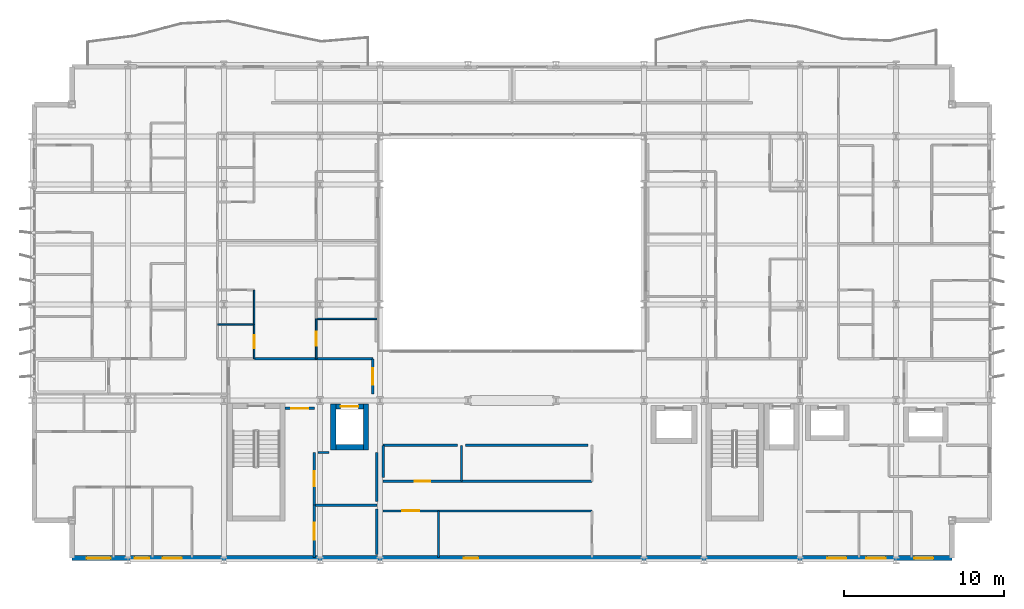
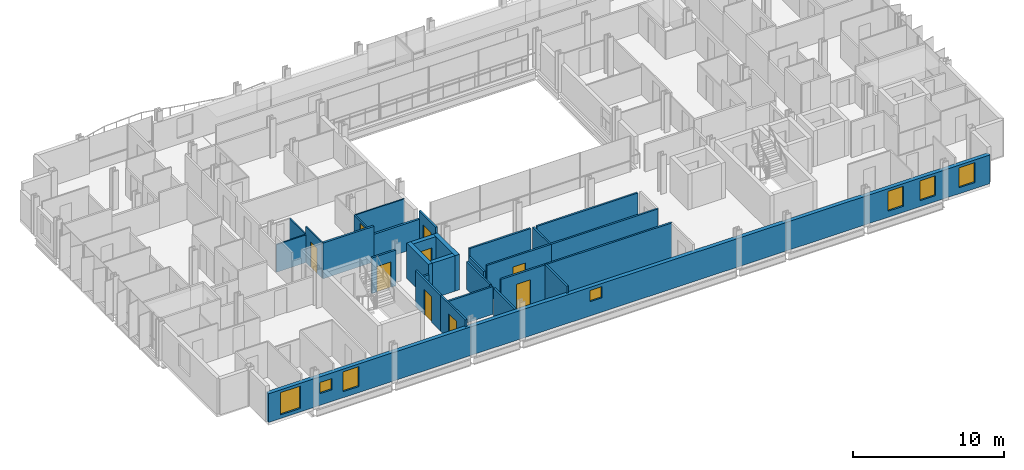
# One storey, part 28 of 39: 29 walls, 9 doors, 7 windows, 16 openings.
"""IFC4 building model written with IfcOpenShell, lengths in metres."""

import ifcopenshell
import ifcopenshell.guid

model = None  # the IFC model being written
_history = None  # IfcOwnerHistory: only IFC2X3 demands one
_inside = {}  # id of a spatial element -> (the spatial element, [elements in it])
_under = {}  # id of a project, library or spatial element -> (it, [spatial elements below it])
_declared = {}  # id of a project -> (the project, [libraries it declares])
_typed = {}  # id of a type object -> (the type object, [elements of that type])
_made_of = {}  # id of a material, layer set ... -> (it, [elements and type objects made of it])


def new_model(schema):
    """Start an empty IFC model of exactly this schema.

    Asked for "IFC4X3", IfcOpenShell would pick the latest addendum, in which some entities
    have other attributes; the version numbers below select the first issue.
    IFC2X3 requires an IfcOwnerHistory on every rooted entity: one is made here for all.
    """
    global model, _history
    if schema == "IFC4X3":
        model = ifcopenshell.file(schema_version=(4, 3, 0, 0))
    else:
        model = ifcopenshell.file(schema=schema)
    _inside.clear()
    _under.clear()
    _declared.clear()
    _typed.clear()
    _made_of.clear()
    _history = None
    if model.schema == "IFC2X3":
        org = make("IfcOrganization", Name="unknown")
        user = make(
            "IfcPersonAndOrganization",
            ThePerson=make("IfcPerson", FamilyName="unknown"),
            TheOrganization=org,
        )
        app = make(
            "IfcApplication",
            ApplicationDeveloper=org,
            Version="unknown",
            ApplicationFullName="unknown",
            ApplicationIdentifier="unknown",
        )
        _history = make(
            "IfcOwnerHistory",
            OwningUser=user,
            OwningApplication=app,
            ChangeAction="ADDED",
            CreationDate=0,
        )
    return model


def make(cls, **values):
    """One entity of the class cls with the attributes given. An attribute that is None is left unset."""
    return model.create_entity(
        cls, **{name: value for name, value in values.items() if value is not None}
    )


def rooted(cls, **values):
    """An entity with a GlobalId (a new one), such as an element, a storey or a relation."""
    return make(cls, GlobalId=ifcopenshell.guid.new(), OwnerHistory=_history, **values)


def si_unit(unit_type, name, prefix=None):
    """IfcSIUnit, for example si_unit("LENGTHUNIT", "METRE", prefix="MILLI")."""
    return make("IfcSIUnit", UnitType=unit_type, Prefix=prefix, Name=name)


def assignment(units):
    """IfcUnitAssignment: the units of a project."""
    return None if units is None else make("IfcUnitAssignment", Units=units)


def point(xyz):
    """IfcCartesianPoint."""
    return None if xyz is None else make("IfcCartesianPoint", Coordinates=xyz)


def direction(xyz):
    """IfcDirection."""
    return None if xyz is None else make("IfcDirection", DirectionRatios=xyz)


def frame(location, z_axis=None, x_axis=None):
    """IfcAxis2Placement3D, a coordinate frame: its origin and axes. An axis left out is left unset."""
    return make(
        "IfcAxis2Placement3D",
        Location=point(location),
        Axis=direction(z_axis),
        RefDirection=direction(x_axis),
    )


def frame_2d(location, x_axis=None):
    """IfcAxis2Placement2D, a coordinate frame in the plane: its origin and x axis."""
    return make(
        "IfcAxis2Placement2D", Location=point(location), RefDirection=direction(x_axis)
    )


def origin():
    """The frame at (0, 0, 0) with its axes left unset."""
    return frame((0.0, 0.0, 0.0))


def place(relative_to, where):
    """IfcLocalPlacement: puts the frame where relative to a parent placement (None: the world)."""
    return make(
        "IfcLocalPlacement", PlacementRelTo=relative_to, RelativePlacement=where
    )


def context(
    kind, dimensions, precision=None, world=None, true_north=None, identifier=None
):
    """IfcGeometricRepresentationContext, for example the 3D "Model" context."""
    return make(
        "IfcGeometricRepresentationContext",
        ContextIdentifier=identifier,
        ContextType=kind,
        CoordinateSpaceDimension=dimensions,
        Precision=precision,
        WorldCoordinateSystem=world,
        TrueNorth=true_north,
    )


def subcontext(parent, identifier, kind, view, scale=None):
    """IfcGeometricRepresentationSubContext, for example "Body" below "Model"."""
    return make(
        "IfcGeometricRepresentationSubContext",
        ContextIdentifier=identifier,
        ContextType=kind,
        ParentContext=parent,
        TargetScale=scale,
        TargetView=view,
    )


def project(units=None, contexts=None):
    """IfcProject with its units and contexts."""
    return rooted(
        "IfcProject",
        Name="project",
        RepresentationContexts=contexts,
        UnitsInContext=assignment(units),
    )


def spatial(cls, under=None, at=None, **own):
    """A site, building, storey or space (cls), placed at a placement, below another one or the project."""
    s = rooted(cls, ObjectPlacement=at, **own)
    if under is not None:
        _under.setdefault(under.id(), (under, []))[1].append(s)
    return s


def profile(cls, at=None, kind="AREA", **sizes):
    """A parametric profile (cls). Its sizes go by their IFC names, for example OverallWidth=200.0."""
    return make(cls, ProfileType=kind, Position=at, **sizes)


def rectangle(**sizes):
    """IfcRectangleProfileDef."""
    return profile("IfcRectangleProfileDef", **sizes)


def extrude(swept, where, along, depth):
    """IfcExtrudedAreaSolid: the profile swept, set in the frame where, extruded along a direction by depth."""
    return make(
        "IfcExtrudedAreaSolid",
        SweptArea=swept,
        Position=where,
        ExtrudedDirection=direction(along),
        Depth=depth,
    )


def shape(context_of_items, identifier, shape_type, items):
    """IfcShapeRepresentation: the items that make up one representation, for example the "Body"."""
    return make(
        "IfcShapeRepresentation",
        ContextOfItems=context_of_items,
        RepresentationIdentifier=identifier,
        RepresentationType=shape_type,
        Items=items,
    )


def material(Name=None, Category=None):
    """IfcMaterial."""
    return make("IfcMaterial", Name=Name, Category=Category)


def layer(
    of_material, thickness, ventilated=None, Name=None, Category=None, Priority=None
):
    """IfcMaterialLayer: one layer of a wall or slab, of a material (None: an air gap)."""
    return make(
        "IfcMaterialLayer",
        Material=of_material,
        LayerThickness=thickness,
        IsVentilated=ventilated,
        Name=Name,
        Category=Category,
        Priority=Priority,
    )


def layer_set(layers, Name=None):
    """IfcMaterialLayerSet."""
    return make("IfcMaterialLayerSet", MaterialLayers=layers, LayerSetName=Name)


def made_of(thing, what):
    """Note that an element or type object is made of a material, layer set ...; save() writes the relation."""
    if what is not None:
        _made_of.setdefault(what.id(), (what, []))[1].append(thing)
    return thing


def type_object(cls, material=None, **own):
    """A type object (cls), such as IfcWallType, which elements share."""
    return made_of(rooted(cls, **own), material)


def element(
    cls,
    number,
    at=None,
    inside=None,
    cuts=None,
    type_object=None,
    material=None,
    context=None,
    identifier="Body",
    shape_type=None,
    held_by="IfcProductDefinitionShape",
    body=None,
    shapes=None,
    **own,
):
    """One element of the class cls, such as IfcWall. Its Tag is "e" and its number.

    at: its placement. inside: the storey or other place that contains it. cuts: it is an
    opening in that element (IfcRelVoidsElement). A single representation is given by context,
    identifier, shape_type and body (its items); several are given by shapes. held_by: the class
    of the entity that holds the representations. save() writes the other relations.
    """
    e = rooted(cls, Tag="e%d" % number, ObjectPlacement=at, **own)
    if body is not None:
        shapes = [shape(context, identifier, shape_type, body)]
    if shapes is not None:
        e.Representation = make(held_by, Representations=shapes)
    if inside is not None:
        _inside.setdefault(inside.id(), (inside, []))[1].append(e)
    if cuts is not None:
        rooted(
            "IfcRelVoidsElement", RelatingBuildingElement=cuts, RelatedOpeningElement=e
        )
    if type_object is not None:
        _typed.setdefault(type_object.id(), (type_object, []))[1].append(e)
    return made_of(e, material)


def fill(opening, filler):
    """IfcRelFillsElement: the door or window that sits in an opening."""
    return rooted(
        "IfcRelFillsElement",
        RelatingOpeningElement=opening,
        RelatedBuildingElement=filler,
    )


def aggregate(whole, parts):
    """IfcRelAggregates: a whole, such as a stair, and the parts it consists of."""
    return rooted("IfcRelAggregates", RelatingObject=whole, RelatedObjects=parts)


def save(model, path):
    """Write the relations noted so far, then the file.

    IfcRelAggregates (storeys below a building ...), IfcRelContainedInSpatialStructure (elements
    in a storey), IfcRelDefinesByType, IfcRelAssociatesMaterial and IfcRelDeclares: one each for
    every whole, place, type object, material and project.
    """
    for whole, parts in _under.values():
        aggregate(whole, parts)
    for where, things in _inside.values():
        rooted(
            "IfcRelContainedInSpatialStructure",
            RelatedElements=things,
            RelatingStructure=where,
        )
    for kind, things in _typed.values():
        rooted("IfcRelDefinesByType", RelatedObjects=things, RelatingType=kind)
    for what, things in _made_of.values():
        rooted("IfcRelAssociatesMaterial", RelatedObjects=things, RelatingMaterial=what)
    for by, libraries in _declared.values():
        rooted("IfcRelDeclares", RelatingContext=by, RelatedDefinitions=libraries)
    model.write(path)


model = new_model("IFC4")

# Units and contexts
model_context = context("Model", 3, precision=1e-05, world=origin(), true_north=direction((0.0, 1.0)))
body_context = subcontext(model_context, "Body", "Model", "MODEL_VIEW")
ifc_project = project(units=[si_unit("LENGTHUNIT", "METRE"), si_unit("AREAUNIT", "SQUARE_METRE"), si_unit("VOLUMEUNIT", "CUBIC_METRE"), si_unit("PLANEANGLEUNIT", "RADIAN"), si_unit("MASSUNIT", "GRAM", prefix="KILO")], contexts=[model_context])

# Site, building, storey
site_placement = place(None, origin())
site = spatial("IfcSite", under=ifc_project, at=site_placement, CompositionType="ELEMENT")
building_placement = place(site_placement, origin())
building = spatial("IfcBuilding", under=site, at=building_placement, Name="Brevholm Reach", CompositionType="ELEMENT")
storey_placement = place(building_placement, frame((0.0, 0.0, 40.39990234375)))
storey = spatial("IfcBuildingStorey", under=building, at=storey_placement, Name="L10", CompositionType="ELEMENT", Elevation=40.39990234375)

# Walls
ifc_material_1 = material(Name="Concrete C60/75", Category="concrete")
ifc_layer_1 = layer(ifc_material_1, 0.320068359375)
ifc_layer_set_1 = layer_set([ifc_layer_1], Name="Concrete C60/75")
wall_type_1 = type_object("IfcWallType", Name="WAL-COR-320", PredefinedType="SHEAR", material=ifc_layer_set_1)
for number, where, z_axis, x_axis, name in (
    (1, (18.830078125, 6.919921875, 0.0), (0.0, 0.0, 1.0), (0.0, 1.0, 0.0), "L10 Lift FFL-1 Shaft Wall W"),
    (2, (20.8701171875, 6.919921875, 0.0), (0.0, 0.0, 1.0), (0.0, 1.0, 0.0), "L10 Lift FFL-1 Shaft Wall E"),
):
    element("IfcWall", number, at=place(storey_placement, frame(where, z_axis=z_axis, x_axis=x_axis)), inside=storey, type_object=wall_type_1, Name=name, PredefinedType="SHEAR", context=body_context, shape_type="SweptSolid", body=[
        extrude(rectangle(XDim=2.860107421875, YDim=0.320068359375, at=frame_2d((1.43017578125, 0.0))), origin(), (0.0, 0.0, 1.0), 2.8701171875),
    ])
wall_1_placement = place(storey_placement, frame((18.989990234375, 7.080078125, 0.0), z_axis=(0.0, 0.0, 1.0), x_axis=(1.0, 0.0, 0.0)))
element("IfcWall", 3, at=wall_1_placement, inside=storey, type_object=wall_type_1, Name="L10 Lift FFL-1 Shaft Wall S", PredefinedType="SHEAR", context=body_context, shape_type="SweptSolid", body=[
    extrude(rectangle(XDim=1.719970703125, YDim=0.320068359375, at=frame_2d((0.85986328125, 0.0))), origin(), (0.0, 0.0, 1.0), 2.8701171875),
])

# Wall, opening, door
wall_2_placement = place(storey_placement, frame((18.989990234375, 9.6201171875, 0.0), z_axis=(0.0, 0.0, 1.0), x_axis=(1.0, 0.0, 0.0)))
wall_2 = element("IfcWall", 4, at=wall_2_placement, inside=storey, type_object=wall_type_1, Name="L10 Lift FFL-1 Shaft Wall N", PredefinedType="SHEAR", context=body_context, shape_type="SweptSolid", body=[
    extrude(rectangle(XDim=1.719970703125, YDim=0.320068359375, at=frame_2d((0.85986328125, 0.0))), origin(), (0.0, 0.0, 1.0), 2.8701171875),
])
opening_1_placement = place(wall_2_placement, frame((0.31005859375, 0.0, 0.0)))
opening_1 = element("IfcOpeningElement", 5, at=opening_1_placement, cuts=wall_2, Name="Opening LD-FFL-1", PredefinedType="OPENING", context=body_context, shape_type="SweptSolid", body=[
    extrude(rectangle(XDim=1.10009765625, YDim=2.06005859375, at=frame_2d((0.550048828125, 1.030029296875))), frame((0.0, 0.169921875, 0.0), z_axis=(0.0, -1.0, 0.0), x_axis=(1.0, 0.0, 0.0)), (0.0, 0.0, 1.0), 0.340087890625),
])
ifc_material_2 = material(Name="Brushed Stainless Steel Fire-Rated Sliding Lift Door", Category="steel")
door_type_1 = type_object("IfcDoorType", Name="DOR-LFT-1100", OperationType="NOTDEFINED", PredefinedType="DOOR", material=ifc_material_2)
door_1_placement = place(opening_1_placement, origin())
door_1 = element("IfcDoor", 6, at=door_1_placement, inside=storey, type_object=door_type_1, Name="L10 Lift FFL-1 Sliding Landing Door", OperationType="SLIDING_TO_RIGHT", OverallHeight=2.06005859375, OverallWidth=1.10009765625, PredefinedType="DOOR", context=body_context, shape_type="SweptSolid", body=[
    extrude(rectangle(XDim=1.10009765625, YDim=2.06005859375, at=frame_2d((0.550048828125, 1.030029296875))), frame((0.0, 0.02490234375, 0.0), z_axis=(0.0, -1.0, 0.0), x_axis=(1.0, 0.0, 0.0)), (0.0, 0.0, 1.0), 0.050048828125),
])
fill(opening_1, door_1)

# Wall, openings, windows
ifc_material_3 = material(Name="Concrete C40/50", Category="concrete")
ifc_layer_2 = layer(ifc_material_3, 0.300048828125)
ifc_layer_set_2 = layer_set([ifc_layer_2], Name="Concrete C40/50")
wall_type_2 = type_object("IfcWallType", Name="WAL-EXT-300", PredefinedType="STANDARD", material=ifc_layer_set_2)
wall_3_placement = place(storey_placement, frame((2.5, 0.14990234375, 0.0), z_axis=(0.0, 0.0, 1.0), x_axis=(1.0, 0.0, 0.0)))
wall_3 = element("IfcWall", 7, at=wall_3_placement, inside=storey, type_object=wall_type_2, Name="L10 Facade Wall WAL-L10-S", PredefinedType="STANDARD", context=body_context, shape_type="SweptSolid", body=[
    extrude(rectangle(XDim=55.0, YDim=0.300048828125, at=frame_2d((27.5, 0.0))), origin(), (0.0, 0.0, 1.0), 2.3056640625),
])
opening_2_placement = place(wall_3_placement, frame((0.919921875, 0.0, 0.285888671875)))
opening_2 = element("IfcOpeningElement", 8, at=opening_2_placement, cuts=wall_3, Name="Opening WN-05", PredefinedType="OPENING", context=body_context, shape_type="SweptSolid", body=[
    extrude(rectangle(XDim=1.5, YDim=1.800048828125, at=frame_2d((0.75, 0.89990234375))), frame((0.0, 0.159912109375, 0.0), z_axis=(0.0, -1.0, 0.0), x_axis=(1.0, 0.0, 0.0)), (0.0, 0.0, 1.0), 0.320068359375),
])
opening_3_placement = place(wall_3_placement, frame((24.5, 0.0, 1.14990234375)))
opening_3 = element("IfcOpeningElement", 9, at=opening_3_placement, cuts=wall_3, Name="Opening WN-09", PredefinedType="OPENING", context=body_context, shape_type="SweptSolid", body=[
    extrude(rectangle(XDim=0.89990234375, YDim=0.89990234375, at=frame_2d((0.449951171875, 0.449951171875))), frame((0.0, 0.159912109375, 0.0), z_axis=(0.0, -1.0, 0.0), x_axis=(1.0, 0.0, 0.0)), (0.0, 0.0, 1.0), 0.320068359375),
])
opening_4_placement = place(wall_3_placement, frame((47.199951171875, 0.0, 0.486083984375)))
opening_4 = element("IfcOpeningElement", 10, at=opening_4_placement, cuts=wall_3, Name="Opening WN-08", PredefinedType="OPENING", context=body_context, shape_type="SweptSolid", body=[
    extrude(rectangle(XDim=1.199951171875, YDim=1.60009765625, at=frame_2d((0.60009765625, 0.800048828125))), frame((0.0, 0.159912109375, 0.0), z_axis=(0.0, -1.0, 0.0), x_axis=(1.0, 0.0, 0.0)), (0.0, 0.0, 1.0), 0.320068359375),
])
opening_5_placement = place(wall_3_placement, frame((52.6298828125, 0.0, 0.486083984375)))
opening_5 = element("IfcOpeningElement", 11, at=opening_5_placement, cuts=wall_3, Name="Opening WN-08", PredefinedType="OPENING", context=body_context, shape_type="SweptSolid", body=[
    extrude(rectangle(XDim=1.199951171875, YDim=1.60009765625, at=frame_2d((0.60009765625, 0.800048828125))), frame((0.0, 0.159912109375, 0.0), z_axis=(0.0, -1.0, 0.0), x_axis=(1.0, 0.0, 0.0)), (0.0, 0.0, 1.0), 0.320068359375),
])
opening_6_placement = place(wall_3_placement, frame((3.9208984375, 0.0, 0.949951171875)))
opening_6 = element("IfcOpeningElement", 12, at=opening_6_placement, cuts=wall_3, Name="Opening WN-09", PredefinedType="OPENING", context=body_context, shape_type="SweptSolid", body=[
    extrude(rectangle(XDim=0.89990234375, YDim=0.89990234375, at=frame_2d((0.449951171875, 0.449951171875))), frame((0.0, 0.159912109375, 0.0), z_axis=(0.0, -1.0, 0.0), x_axis=(1.0, 0.0, 0.0)), (0.0, 0.0, 1.0), 0.320068359375),
])
opening_7_placement = place(wall_3_placement, frame((5.675048828125, 0.0, 0.485595703125)))
opening_7 = element("IfcOpeningElement", 13, at=opening_7_placement, cuts=wall_3, Name="Opening WN-08", PredefinedType="OPENING", context=body_context, shape_type="SweptSolid", body=[
    extrude(rectangle(XDim=1.199951171875, YDim=1.60009765625, at=frame_2d((0.60009765625, 0.800048828125))), frame((0.0, 0.159912109375, 0.0), z_axis=(0.0, -1.0, 0.0), x_axis=(1.0, 0.0, 0.0)), (0.0, 0.0, 1.0), 0.320068359375),
])
opening_8_placement = place(wall_3_placement, frame((49.6416015625, 0.0, 0.485595703125)))
opening_8 = element("IfcOpeningElement", 14, at=opening_8_placement, cuts=wall_3, Name="Opening WN-08", PredefinedType="OPENING", context=body_context, shape_type="SweptSolid", body=[
    extrude(rectangle(XDim=1.199951171875, YDim=1.60009765625, at=frame_2d((0.60009765625, 0.800048828125))), frame((0.0, 0.159912109375, 0.0), z_axis=(0.0, -1.0, 0.0), x_axis=(1.0, 0.0, 0.0)), (0.0, 0.0, 1.0), 0.320068359375),
])
ifc_material_4 = material(Name="Dark Anodised Aluminium and Solar-Control IGU Glass", Category="aluminium")
window_type_1 = type_object("IfcWindowType", Name="WIN-POR-0900", PartitioningType="SINGLE_PANEL", PredefinedType="WINDOW", material=ifc_material_4)
window_1_placement = place(opening_3_placement, origin())
window_1 = element("IfcWindow", 15, at=window_1_placement, inside=storey, type_object=window_type_1, Name="L10 Window WIN-L10-S-POR", OverallHeight=0.89990234375, OverallWidth=0.89990234375, PartitioningType="SINGLE_PANEL", PredefinedType="WINDOW", context=body_context, shape_type="SweptSolid", body=[
    extrude(rectangle(XDim=0.89990234375, YDim=0.89990234375, at=frame_2d((0.449951171875, 0.449951171875))), frame((0.0, 0.030029296875, 0.0), z_axis=(0.0, -1.0, 0.0), x_axis=(1.0, 0.0, 0.0)), (0.0, 0.0, 1.0), 0.06005859375),
])
fill(opening_3, window_1)
window_2_placement = place(opening_6_placement, origin())
window_2 = element("IfcWindow", 16, at=window_2_placement, inside=storey, type_object=window_type_1, Name="L10 Bedroom Window 003", OverallHeight=0.89990234375, OverallWidth=0.89990234375, PartitioningType="SINGLE_PANEL", PredefinedType="WINDOW", context=body_context, shape_type="SweptSolid", body=[
    extrude(rectangle(XDim=0.89990234375, YDim=0.89990234375, at=frame_2d((0.449951171875, 0.449951171875))), frame((0.0, 0.030029296875, 0.0), z_axis=(0.0, -1.0, 0.0), x_axis=(1.0, 0.0, 0.0)), (0.0, 0.0, 1.0), 0.06005859375),
])
fill(opening_6, window_2)
ifc_material_5 = material(Name="Dark Anodised Aluminium and Solar-Control IGU Glass", Category="aluminium")
window_type_2 = type_object("IfcWindowType", Name="WIN-RES-1200", PartitioningType="SINGLE_PANEL", PredefinedType="WINDOW", material=ifc_material_5)
window_3_placement = place(opening_4_placement, origin())
window_3 = element("IfcWindow", 17, at=window_3_placement, inside=storey, type_object=window_type_2, Name="L10 Window WIN-L10-S-E1", OverallHeight=1.60009765625, OverallWidth=1.199951171875, PartitioningType="SINGLE_PANEL", PredefinedType="WINDOW", context=body_context, shape_type="SweptSolid", body=[
    extrude(rectangle(XDim=1.199951171875, YDim=1.60009765625, at=frame_2d((0.60009765625, 0.800048828125))), frame((0.0, 0.030029296875, 0.0), z_axis=(0.0, -1.0, 0.0), x_axis=(1.0, 0.0, 0.0)), (0.0, 0.0, 1.0), 0.06005859375),
])
fill(opening_4, window_3)
window_4_placement = place(opening_5_placement, origin())
window_4 = element("IfcWindow", 18, at=window_4_placement, inside=storey, type_object=window_type_2, Name="L10 Window WIN-L10-S-E2", OverallHeight=1.60009765625, OverallWidth=1.199951171875, PartitioningType="SINGLE_PANEL", PredefinedType="WINDOW", context=body_context, shape_type="SweptSolid", body=[
    extrude(rectangle(XDim=1.199951171875, YDim=1.60009765625, at=frame_2d((0.60009765625, 0.800048828125))), frame((0.0, 0.030029296875, 0.0), z_axis=(0.0, -1.0, 0.0), x_axis=(1.0, 0.0, 0.0)), (0.0, 0.0, 1.0), 0.06005859375),
])
fill(opening_5, window_4)
window_5_placement = place(opening_7_placement, origin())
window_5 = element("IfcWindow", 19, at=window_5_placement, inside=storey, type_object=window_type_2, Name="L10 Bedroom Window 004", OverallHeight=1.60009765625, OverallWidth=1.199951171875, PartitioningType="SINGLE_PANEL", PredefinedType="WINDOW", context=body_context, shape_type="SweptSolid", body=[
    extrude(rectangle(XDim=1.199951171875, YDim=1.60009765625, at=frame_2d((0.60009765625, 0.800048828125))), frame((0.0, 0.030029296875, 0.0), z_axis=(0.0, -1.0, 0.0), x_axis=(1.0, 0.0, 0.0)), (0.0, 0.0, 1.0), 0.06005859375),
])
fill(opening_7, window_5)
window_6_placement = place(opening_8_placement, origin())
window_6 = element("IfcWindow", 20, at=window_6_placement, inside=storey, type_object=window_type_2, Name="L10 Bedroom Window 005", OverallHeight=1.60009765625, OverallWidth=1.199951171875, PartitioningType="SINGLE_PANEL", PredefinedType="WINDOW", context=body_context, shape_type="SweptSolid", body=[
    extrude(rectangle(XDim=1.199951171875, YDim=1.60009765625, at=frame_2d((0.60009765625, 0.800048828125))), frame((0.0, 0.030029296875, 0.0), z_axis=(0.0, -1.0, 0.0), x_axis=(1.0, 0.0, 0.0)), (0.0, 0.0, 1.0), 0.06005859375),
])
fill(opening_8, window_6)
ifc_material_6 = material(Name="Dark Anodised Aluminium and Solar-Control IGU Glass", Category="aluminium")
window_type_3 = type_object("IfcWindowType", Name="WIN-RES-1500", PartitioningType="SINGLE_PANEL", PredefinedType="WINDOW", material=ifc_material_6)
window_7_placement = place(opening_2_placement, origin())
window_7 = element("IfcWindow", 21, at=window_7_placement, inside=storey, type_object=window_type_3, Name="L10 Window WIN-L10-S-W1", OverallHeight=1.800048828125, OverallWidth=1.5, PartitioningType="SINGLE_PANEL", PredefinedType="WINDOW", context=body_context, shape_type="SweptSolid", body=[
    extrude(rectangle(XDim=1.5, YDim=1.800048828125, at=frame_2d((0.75, 0.89990234375))), frame((0.0, 0.030029296875, 0.0), z_axis=(0.0, -1.0, 0.0), x_axis=(1.0, 0.0, 0.0)), (0.0, 0.0, 1.0), 0.06005859375),
])
fill(opening_2, window_7)

# Wall
ifc_material_7 = material(Name="Moisture-Resistant Acoustic Gypsum Stud Partition 100 mm", Category="gypsum")
ifc_layer_3 = layer(ifc_material_7, 0.10009765625)
ifc_layer_set_3 = layer_set([ifc_layer_3], Name="Moisture-Resistant Acoustic Gypsum Stud Partition 100 mm")
wall_type_3 = type_object("IfcWallType", Name="WAL-PRT-100", PredefinedType="PARTITIONING", material=ifc_layer_set_3)
wall_4_placement = place(storey_placement, frame((11.60400390625, 14.75, 0.0), z_axis=(0.0, 0.0, 1.0), x_axis=(1.0, 0.0, 0.0)))
element("IfcWall", 22, at=wall_4_placement, inside=storey, type_object=wall_type_3, Name="L10 Internal Partition 112", PredefinedType="PARTITIONING", context=body_context, shape_type="SweptSolid", body=[
    extrude(rectangle(XDim=2.284912109375, YDim=0.10009765625, at=frame_2d((1.142578125, 0.0))), origin(), (0.0, 0.0, 1.0), 2.224853515625),
])

# Wall, opening, door
wall_5_placement = place(storey_placement, frame((13.888916015625, 12.60400390625, 0.0), z_axis=(0.0, 0.0, 1.0), x_axis=(0.0, 1.0, 0.0)))
wall_5 = element("IfcWall", 23, at=wall_5_placement, inside=storey, type_object=wall_type_3, Name="L10 Internal Partition 113", PredefinedType="PARTITIONING", context=body_context, shape_type="SweptSolid", body=[
    extrude(rectangle(XDim=2.14599609375, YDim=0.10009765625, at=frame_2d((1.072998046875, 0.0))), origin(), (0.0, 0.0, 1.0), 2.8701171875),
])
opening_9_placement = place(wall_5_placement, frame((0.6630859375, 0.0, 0.0)))
opening_9 = element("IfcOpeningElement", 24, at=opening_9_placement, cuts=wall_5, Name="Opening ID-03", PredefinedType="OPENING", context=body_context, shape_type="SweptSolid", body=[
    extrude(rectangle(XDim=0.820068359375, YDim=2.02001953125, at=frame_2d((0.41015625, 1.010009765625))), frame((0.0, 0.06005859375, 0.0), z_axis=(0.0, -1.0, 0.0), x_axis=(1.0, 0.0, 0.0)), (0.0, 0.0, 1.0), 0.1201171875),
])
ifc_material_8 = material(Name="Moisture-Resistant Painted Timber Internal Bathroom Door", Category="wood")
door_type_2 = type_object("IfcDoorType", Name="DOR-BATH-820", OperationType="NOTDEFINED", PredefinedType="DOOR", material=ifc_material_8)
door_2_placement = place(opening_9_placement, origin())
door_2 = element("IfcDoor", 25, at=door_2_placement, inside=storey, type_object=door_type_2, Name="L10 Internal Door 042", OperationType="SINGLE_SWING_RIGHT", OverallHeight=2.02001953125, OverallWidth=0.820068359375, PredefinedType="DOOR", context=body_context, shape_type="SweptSolid", body=[
    extrude(rectangle(XDim=0.820068359375, YDim=2.02001953125, at=frame_2d((0.41015625, 1.010009765625))), frame((0.0, 0.02490234375, 0.0), z_axis=(0.0, -1.0, 0.0), x_axis=(1.0, 0.0, 0.0)), (0.0, 0.0, 1.0), 0.050048828125),
])
fill(opening_9, door_2)

# Walls
wall_6_placement = place(storey_placement, frame((13.888916015625, 14.75390625, 0.0), z_axis=(0.0, 0.0, 1.0), x_axis=(0.0, 1.0, 0.0)))
element("IfcWall", 26, at=wall_6_placement, inside=storey, type_object=wall_type_3, Name="L10 Internal Partition 114", PredefinedType="PARTITIONING", context=body_context, shape_type="SweptSolid", body=[
    extrude(rectangle(XDim=2.14599609375, YDim=0.10009765625, at=frame_2d((1.072998046875, 0.0))), origin(), (0.0, 0.0, 1.0), 2.224853515625),
])
wall_7_placement = place(storey_placement, frame((17.76904296875, 15.10009765625, 0.0), z_axis=(0.0, 0.0, 1.0), x_axis=(1.0, 0.0, 0.0)))
element("IfcWall", 27, at=wall_7_placement, inside=storey, type_object=wall_type_3, Name="L10 Internal Partition 116", PredefinedType="PARTITIONING", context=body_context, shape_type="SweptSolid", body=[
    extrude(rectangle(XDim=3.781005859375, YDim=0.10009765625, at=frame_2d((1.890625, 0.0))), origin(), (0.0, 0.0, 1.0), 2.224853515625),
])

# Wall, opening, door
wall_8_placement = place(storey_placement, frame((17.76904296875, 12.60400390625, 0.0), z_axis=(0.0, 0.0, 1.0), x_axis=(0.0, 1.0, 0.0)))
wall_8 = element("IfcWall", 28, at=wall_8_placement, inside=storey, type_object=wall_type_3, Name="L10 Internal Partition 117", PredefinedType="PARTITIONING", context=body_context, shape_type="SweptSolid", body=[
    extrude(rectangle(XDim=2.49609375, YDim=0.10009765625, at=frame_2d((1.248046875, 0.0))), origin(), (0.0, 0.0, 1.0), 2.224853515625),
])
opening_10_placement = place(wall_8_placement, frame((0.80810546875, 0.0, 0.0)))
opening_10 = element("IfcOpeningElement", 29, at=opening_10_placement, cuts=wall_8, Name="Opening ID-01", PredefinedType="OPENING", context=body_context, shape_type="SweptSolid", body=[
    extrude(rectangle(XDim=0.8798828125, YDim=2.0400390625, at=frame_2d((0.43994140625, 1.02001953125))), frame((0.0, 0.06005859375, 0.0), z_axis=(0.0, -1.0, 0.0), x_axis=(1.0, 0.0, 0.0)), (0.0, 0.0, 1.0), 0.1201171875),
])
ifc_material_9 = material(Name="Lacquered Ash Solid-Core Acoustic Internal Door", Category="timber")
door_type_3 = type_object("IfcDoorType", Name="DOR-INT-880", OperationType="NOTDEFINED", PredefinedType="DOOR", material=ifc_material_9)
door_3_placement = place(opening_10_placement, origin())
door_3 = element("IfcDoor", 30, at=door_3_placement, inside=storey, type_object=door_type_3, Name="L10 Internal Door 044", OperationType="SINGLE_SWING_RIGHT", OverallHeight=2.0400390625, OverallWidth=0.8798828125, PredefinedType="DOOR", context=body_context, shape_type="SweptSolid", body=[
    extrude(rectangle(XDim=0.8798828125, YDim=2.0400390625, at=frame_2d((0.43994140625, 1.02001953125))), frame((0.0, 0.02490234375, 0.0), z_axis=(0.0, -1.0, 0.0), x_axis=(1.0, 0.0, 0.0)), (0.0, 0.0, 1.0), 0.050048828125),
])
fill(opening_10, door_3)

ifc_material_10 = material(Name="Twin-Stud Acoustic Fire-Rated Gypsum Partition 140 mm", Category="gypsum")
ifc_layer_4 = layer(ifc_material_10, 0.139892578125)
ifc_layer_set_4 = layer_set([ifc_layer_4], Name="Twin-Stud Acoustic Fire-Rated Gypsum Partition 140 mm")
wall_type_4 = type_object("IfcWallType", Name="WAL-PRT-140", PredefinedType="PARTITIONING", material=ifc_layer_set_4)
wall_9_placement = place(storey_placement, frame((21.949951171875, 3.10009765625, 0.0), z_axis=(0.0, 0.0, 1.0), x_axis=(1.0, 0.0, 0.0)))
wall_9 = element("IfcWall", 31, at=wall_9_placement, inside=storey, type_object=wall_type_4, Name="L10 Internal Partition 003", PredefinedType="PARTITIONING", context=body_context, shape_type="SweptSolid", body=[
    extrude(rectangle(XDim=3.46142578125, YDim=0.139892578125, at=frame_2d((1.730712890625, 0.0))), origin(), (0.0, 0.0, 1.0), 2.8701171875),
])
opening_11_placement = place(wall_9_placement, frame((1.205810546875, 0.0, 0.0)))
opening_11 = element("IfcOpeningElement", 32, at=opening_11_placement, cuts=wall_9, Name="Opening FD-01", PredefinedType="OPENING", context=body_context, shape_type="SweptSolid", body=[
    extrude(rectangle(XDim=1.050048828125, YDim=2.06005859375, at=frame_2d((0.52490234375, 1.030029296875))), frame((0.0, 0.079833984375, 0.0), z_axis=(0.0, -1.0, 0.0), x_axis=(1.0, 0.0, 0.0)), (0.0, 0.0, 1.0), 0.159912109375),
])
ifc_material_11 = material(Name="Hardwood-Lipped Steel-Core Fire and Smoke Door", Category="steel")
door_type_4 = type_object("IfcDoorType", Name="DOR-INT-FD60S", OperationType="NOTDEFINED", PredefinedType="DOOR", material=ifc_material_11)
door_4_placement = place(opening_11_placement, origin())
door_4 = element("IfcDoor", 33, at=door_4_placement, inside=storey, type_object=door_type_4, Name="L10 Internal Door 003", OperationType="SINGLE_SWING_LEFT", OverallHeight=2.06005859375, OverallWidth=1.050048828125, PredefinedType="DOOR", context=body_context, shape_type="SweptSolid", body=[
    extrude(rectangle(XDim=1.050048828125, YDim=2.06005859375, at=frame_2d((0.52490234375, 1.030029296875))), frame((0.0, 0.02490234375, 0.0), z_axis=(0.0, -1.0, 0.0), x_axis=(1.0, 0.0, 0.0)), (0.0, 0.0, 1.0), 0.050048828125),
])
fill(opening_11, door_4)

# Wall
wall_10_placement = place(storey_placement, frame((25.392578125, 3.10009765625, 0.0), z_axis=(0.0, 0.0, 1.0), x_axis=(1.0, 0.0, 0.0)))
element("IfcWall", 34, at=wall_10_placement, inside=storey, type_object=wall_type_4, Name="L10 Internal Partition 004", PredefinedType="PARTITIONING", context=body_context, shape_type="SweptSolid", body=[
    extrude(rectangle(XDim=9.603515625, YDim=0.139892578125, at=frame_2d((4.8017578125, 0.0))), origin(), (0.0, 0.0, 1.0), 2.8701171875),
])

# Wall, opening, door
wall_11_placement = place(storey_placement, frame((21.949951171875, 4.949951171875, 0.0), z_axis=(0.0, 0.0, 1.0), x_axis=(1.0, 0.0, 0.0)))
wall_11 = element("IfcWall", 35, at=wall_11_placement, inside=storey, type_object=wall_type_4, Name="L10 Internal Partition 005", PredefinedType="PARTITIONING", context=body_context, shape_type="SweptSolid", body=[
    extrude(rectangle(XDim=4.911376953125, YDim=0.139892578125, at=frame_2d((2.45556640625, 0.0))), origin(), (0.0, 0.0, 1.0), 2.8701171875),
])
opening_12_placement = place(wall_11_placement, frame((1.980712890625, 0.0, 0.0)))
opening_12 = element("IfcOpeningElement", 36, at=opening_12_placement, cuts=wall_11, Name="Opening ID-30", PredefinedType="OPENING", context=body_context, shape_type="SweptSolid", body=[
    extrude(rectangle(XDim=0.949951171875, YDim=2.050048828125, at=frame_2d((0.47509765625, 1.02490234375))), frame((0.0, 0.079833984375, 0.0), z_axis=(0.0, -1.0, 0.0), x_axis=(1.0, 0.0, 0.0)), (0.0, 0.0, 1.0), 0.159912109375),
])
ifc_material_12 = material(Name="European Oak Veneered Solid-Core Fire Entrance Door", Category="timber")
door_type_5 = type_object("IfcDoorType", Name="DOR-FLT-FD30S", OperationType="NOTDEFINED", PredefinedType="DOOR", material=ifc_material_12)
door_5_placement = place(opening_12_placement, origin())
door_5 = element("IfcDoor", 37, at=door_5_placement, inside=storey, type_object=door_type_5, Name="L10 Internal Door 004", OperationType="SINGLE_SWING_RIGHT", OverallHeight=2.050048828125, OverallWidth=0.949951171875, PredefinedType="DOOR", context=body_context, shape_type="SweptSolid", body=[
    extrude(rectangle(XDim=0.949951171875, YDim=2.050048828125, at=frame_2d((0.47509765625, 1.02490234375))), frame((0.0, 0.02490234375, 0.0), z_axis=(0.0, -1.0, 0.0), x_axis=(1.0, 0.0, 0.0)), (0.0, 0.0, 1.0), 0.050048828125),
])
fill(opening_12, door_5)

# Walls
wall_12_placement = place(storey_placement, frame((26.8427734375, 4.949951171875, 0.0), z_axis=(0.0, 0.0, 1.0), x_axis=(1.0, 0.0, 0.0)))
element("IfcWall", 38, at=wall_12_placement, inside=storey, type_object=wall_type_4, Name="L10 Internal Partition 006", PredefinedType="PARTITIONING", context=body_context, shape_type="SweptSolid", body=[
    extrude(rectangle(XDim=8.1533203125, YDim=0.139892578125, at=frame_2d((4.07666015625, 0.0))), origin(), (0.0, 0.0, 1.0), 2.8701171875),
])
wall_13_placement = place(storey_placement, frame((25.39990234375, 0.179931640625, 0.0), z_axis=(0.0, 0.0, 1.0), x_axis=(0.0, 1.0, 0.0)))
element("IfcWall", 39, at=wall_13_placement, inside=storey, type_object=wall_type_4, Name="L10 Internal Partition 007", PredefinedType="PARTITIONING", context=body_context, shape_type="SweptSolid", body=[
    extrude(rectangle(XDim=2.916015625, YDim=0.139892578125, at=frame_2d((1.4580078125, 0.0))), origin(), (0.0, 0.0, 1.0), 2.8701171875),
])
wall_14_placement = place(storey_placement, frame((26.85009765625, 4.9541015625, 0.0), z_axis=(0.0, 0.0, 1.0), x_axis=(0.0, 1.0, 0.0)))
element("IfcWall", 40, at=wall_14_placement, inside=storey, type_object=wall_type_4, Name="L10 Internal Partition 008", PredefinedType="PARTITIONING", context=body_context, shape_type="SweptSolid", body=[
    extrude(rectangle(XDim=2.245849609375, YDim=0.139892578125, at=frame_2d((1.123046875, 0.0))), origin(), (0.0, 0.0, 1.0), 2.8701171875),
])

# Wall, opening, door
wall_15_placement = place(storey_placement, frame((17.64990234375, 0.179931640625, 0.0), z_axis=(0.0, 0.0, 1.0), x_axis=(0.0, 1.0, 0.0)))
wall_15 = element("IfcWall", 41, at=wall_15_placement, inside=storey, type_object=wall_type_4, Name="L10 Internal Partition 009", PredefinedType="PARTITIONING", context=body_context, shape_type="SweptSolid", body=[
    extrude(rectangle(XDim=3.28125, YDim=0.139892578125, at=frame_2d((1.640625, 0.0))), origin(), (0.0, 0.0, 1.0), 2.8701171875),
])
opening_13_placement = place(wall_15_placement, frame((1.11572265625, 0.0, 0.0)))
opening_13 = element("IfcOpeningElement", 42, at=opening_13_placement, cuts=wall_15, Name="Opening FD-01", PredefinedType="OPENING", context=body_context, shape_type="SweptSolid", body=[
    extrude(rectangle(XDim=1.050048828125, YDim=2.06005859375, at=frame_2d((0.52490234375, 1.030029296875))), frame((0.0, 0.079833984375, 0.0), z_axis=(0.0, -1.0, 0.0), x_axis=(1.0, 0.0, 0.0)), (0.0, 0.0, 1.0), 0.159912109375),
])
door_6_placement = place(opening_13_placement, origin())
door_6 = element("IfcDoor", 43, at=door_6_placement, inside=storey, type_object=door_type_4, Name="L10 Internal Door 005", OperationType="SINGLE_SWING_LEFT", OverallHeight=2.06005859375, OverallWidth=1.050048828125, PredefinedType="DOOR", context=body_context, shape_type="SweptSolid", body=[
    extrude(rectangle(XDim=1.050048828125, YDim=2.06005859375, at=frame_2d((0.52490234375, 1.030029296875))), frame((0.0, 0.02490234375, 0.0), z_axis=(0.0, -1.0, 0.0), x_axis=(1.0, 0.0, 0.0)), (0.0, 0.0, 1.0), 0.050048828125),
])
fill(opening_13, door_6)

wall_16_placement = place(storey_placement, frame((17.64990234375, 3.442626953125, 0.0), z_axis=(0.0, 0.0, 1.0), x_axis=(0.0, 1.0, 0.0)))
wall_16 = element("IfcWall", 44, at=wall_16_placement, inside=storey, type_object=wall_type_4, Name="L10 Internal Partition 010", PredefinedType="PARTITIONING", context=body_context, shape_type="SweptSolid", body=[
    extrude(rectangle(XDim=3.318603515625, YDim=0.139892578125, at=frame_2d((1.6591796875, 0.0))), origin(), (0.0, 0.0, 1.0), 2.8701171875),
])
opening_14_placement = place(wall_16_placement, frame((1.184326171875, 0.0, 0.0)))
opening_14 = element("IfcOpeningElement", 45, at=opening_14_placement, cuts=wall_16, Name="Opening ID-30", PredefinedType="OPENING", context=body_context, shape_type="SweptSolid", body=[
    extrude(rectangle(XDim=0.949951171875, YDim=2.050048828125, at=frame_2d((0.47509765625, 1.02490234375))), frame((0.0, 0.079833984375, 0.0), z_axis=(0.0, -1.0, 0.0), x_axis=(1.0, 0.0, 0.0)), (0.0, 0.0, 1.0), 0.159912109375),
])
door_7_placement = place(opening_14_placement, origin())
door_7 = element("IfcDoor", 46, at=door_7_placement, inside=storey, type_object=door_type_5, Name="L10 Internal Door 006", OperationType="SINGLE_SWING_RIGHT", OverallHeight=2.050048828125, OverallWidth=0.949951171875, PredefinedType="DOOR", context=body_context, shape_type="SweptSolid", body=[
    extrude(rectangle(XDim=0.949951171875, YDim=2.050048828125, at=frame_2d((0.47509765625, 1.02490234375))), frame((0.0, 0.02490234375, 0.0), z_axis=(0.0, -1.0, 0.0), x_axis=(1.0, 0.0, 0.0)), (0.0, 0.0, 1.0), 0.050048828125),
])
fill(opening_14, door_7)

# Walls
wall_17_placement = place(storey_placement, frame((17.654052734375, 3.449951171875, 0.0), z_axis=(0.0, 0.0, 1.0), x_axis=(1.0, 0.0, 0.0)))
element("IfcWall", 47, at=wall_17_placement, inside=storey, type_object=wall_type_4, Name="L10 Internal Partition 012", PredefinedType="PARTITIONING", context=body_context, shape_type="SweptSolid", body=[
    extrude(rectangle(XDim=3.89599609375, YDim=0.139892578125, at=frame_2d((1.947998046875, 0.0))), origin(), (0.0, 0.0, 1.0), 2.224853515625),
])
wall_18_placement = place(storey_placement, frame((21.949951171875, 7.199951171875, 0.0), z_axis=(0.0, 0.0, 1.0), x_axis=(1.0, 0.0, 0.0)))
element("IfcWall", 48, at=wall_18_placement, inside=storey, type_object=wall_type_4, Name="L10 Internal Partition 160", PredefinedType="PARTITIONING", context=body_context, shape_type="SweptSolid", body=[
    extrude(rectangle(XDim=4.66015625, YDim=0.139892578125, at=frame_2d((2.330078125, 0.0))), origin(), (0.0, 0.0, 1.0), 2.8701171875),
])
wall_19_placement = place(storey_placement, frame((21.949951171875, 5.18994140625, 0.0), z_axis=(0.0, 0.0, 1.0), x_axis=(0.0, 1.0, 0.0)))
element("IfcWall", 49, at=wall_19_placement, inside=storey, type_object=wall_type_4, Name="L10 Internal Partition 161", PredefinedType="PARTITIONING", context=body_context, shape_type="SweptSolid", body=[
    extrude(rectangle(XDim=2.010009765625, YDim=0.139892578125, at=frame_2d((1.0048828125, 0.0))), origin(), (0.0, 0.0, 1.0), 2.224853515625),
])
wall_20_placement = place(storey_placement, frame((27.090087890625, 7.199951171875, 0.0), z_axis=(0.0, 0.0, 1.0), x_axis=(1.0, 0.0, 0.0)))
element("IfcWall", 50, at=wall_20_placement, inside=storey, type_object=wall_type_4, Name="L10 Internal Partition 162", PredefinedType="PARTITIONING", context=body_context, shape_type="SweptSolid", body=[
    extrude(rectangle(XDim=7.669921875, YDim=0.139892578125, at=frame_2d((3.8349609375, 0.0))), origin(), (0.0, 0.0, 1.0), 2.8701171875),
])
wall_21_placement = place(storey_placement, frame((21.550048828125, 0.389892578125, 0.0), z_axis=(0.0, 0.0, 1.0), x_axis=(0.0, 1.0, 0.0)))
element("IfcWall", 51, at=wall_21_placement, inside=storey, type_object=wall_type_4, Name="L10 Internal Partition 163", PredefinedType="PARTITIONING", context=body_context, shape_type="SweptSolid", body=[
    extrude(rectangle(XDim=2.820068359375, YDim=0.139892578125, at=frame_2d((1.41015625, 0.0))), origin(), (0.0, 0.0, 1.0), 2.224853515625),
])
wall_22_placement = place(storey_placement, frame((21.550048828125, 3.68994140625, 0.0), z_axis=(0.0, 0.0, 1.0), x_axis=(0.0, 1.0, 0.0)))
element("IfcWall", 52, at=wall_22_placement, inside=storey, type_object=wall_type_4, Name="L10 Internal Partition 164", PredefinedType="PARTITIONING", context=body_context, shape_type="SweptSolid", body=[
    extrude(rectangle(XDim=3.06005859375, YDim=0.139892578125, at=frame_2d((1.530029296875, 0.0))), origin(), (0.0, 0.0, 1.0), 2.224853515625),
])
wall_23_placement = place(storey_placement, frame((17.889892578125, 6.75, 0.0), z_axis=(0.0, 0.0, 1.0), x_axis=(1.0, 0.0, 0.0)))
element("IfcWall", 53, at=wall_23_placement, inside=storey, type_object=wall_type_4, Name="L10 Internal Partition 165", PredefinedType="PARTITIONING", context=body_context, shape_type="SweptSolid", body=[
    extrude(rectangle(XDim=0.6884765625, YDim=0.139892578125, at=frame_2d((0.34423828125, 0.0))), origin(), (0.0, 0.0, 1.0), 2.224853515625),
])

# Wall, opening, door
ifc_material_13 = material(Name="Twin-Frame Fire-Rated Gypsum Board and Mineral Wool 160 mm", Category="gypsum")
ifc_layer_5 = layer(ifc_material_13, 0.159912109375)
ifc_layer_set_5 = layer_set([ifc_layer_5], Name="Twin-Frame Fire-Rated Gypsum Board and Mineral Wool 160 mm")
wall_type_5 = type_object("IfcWallType", Name="WAL-PRT-160", PredefinedType="PARTITIONING", material=ifc_layer_set_5)
wall_24_placement = place(storey_placement, frame((15.830078125, 9.5, 0.0), z_axis=(0.0, 0.0, 1.0), x_axis=(1.0, 0.0, 0.0)))
wall_24 = element("IfcWall", 54, at=wall_24_placement, inside=storey, type_object=wall_type_5, Name="L10 Internal Partition 011", PredefinedType="PARTITIONING", context=body_context, shape_type="SweptSolid", body=[
    extrude(rectangle(XDim=1.81982421875, YDim=0.159912109375, at=frame_2d((0.909912109375, 0.0))), origin(), (0.0, 0.0, 1.0), 2.8701171875),
])
opening_15_placement = place(wall_24_placement, frame((0.385009765625, 0.0, 0.0)))
opening_15 = element("IfcOpeningElement", 55, at=opening_15_placement, cuts=wall_24, Name="Opening FD-01", PredefinedType="OPENING", context=body_context, shape_type="SweptSolid", body=[
    extrude(rectangle(XDim=1.050048828125, YDim=2.06005859375, at=frame_2d((0.52490234375, 1.030029296875))), frame((0.0, 0.08984375, 0.0), z_axis=(0.0, -1.0, 0.0), x_axis=(1.0, 0.0, 0.0)), (0.0, 0.0, 1.0), 0.179931640625),
])
door_8_placement = place(opening_15_placement, origin())
door_8 = element("IfcDoor", 56, at=door_8_placement, inside=storey, type_object=door_type_4, Name="L10 Internal Door 007", OperationType="SINGLE_SWING_LEFT", OverallHeight=2.06005859375, OverallWidth=1.050048828125, PredefinedType="DOOR", context=body_context, shape_type="SweptSolid", body=[
    extrude(rectangle(XDim=1.050048828125, YDim=2.06005859375, at=frame_2d((0.52490234375, 1.030029296875))), frame((0.0, 0.02490234375, 0.0), z_axis=(0.0, -1.0, 0.0), x_axis=(1.0, 0.0, 0.0)), (0.0, 0.0, 1.0), 0.050048828125),
])
fill(opening_15, door_8)

wall_25_placement = place(storey_placement, frame((21.300048828125, 10.388671875, 0.0), z_axis=(0.0, 0.0, 1.0), x_axis=(0.0, 1.0, 0.0)))
wall_25 = element("IfcWall", 57, at=wall_25_placement, inside=storey, type_object=wall_type_5, Name="L10 Internal Partition 019", PredefinedType="PARTITIONING", context=body_context, shape_type="SweptSolid", body=[
    extrude(rectangle(XDim=2.21142578125, YDim=0.159912109375, at=frame_2d((1.105712890625, 0.0))), origin(), (0.0, 0.0, 1.0), 2.8701171875),
])
opening_16_placement = place(wall_25_placement, frame((0.58056640625, 0.0, 0.0)))
opening_16 = element("IfcOpeningElement", 58, at=opening_16_placement, cuts=wall_25, Name="Opening FD-01", PredefinedType="OPENING", context=body_context, shape_type="SweptSolid", body=[
    extrude(rectangle(XDim=1.050048828125, YDim=2.06005859375, at=frame_2d((0.52490234375, 1.030029296875))), frame((0.0, 0.08984375, 0.0), z_axis=(0.0, -1.0, 0.0), x_axis=(1.0, 0.0, 0.0)), (0.0, 0.0, 1.0), 0.179931640625),
])
door_9_placement = place(opening_16_placement, origin())
door_9 = element("IfcDoor", 59, at=door_9_placement, inside=storey, type_object=door_type_4, Name="L10 Internal Door 012", OperationType="SINGLE_SWING_RIGHT", OverallHeight=2.06005859375, OverallWidth=1.050048828125, PredefinedType="DOOR", context=body_context, shape_type="SweptSolid", body=[
    extrude(rectangle(XDim=1.050048828125, YDim=2.06005859375, at=frame_2d((0.52490234375, 1.030029296875))), frame((0.0, 0.02490234375, 0.0), z_axis=(0.0, -1.0, 0.0), x_axis=(1.0, 0.0, 0.0)), (0.0, 0.0, 1.0), 0.050048828125),
])
fill(opening_16, door_9)

# Walls
wall_26_placement = place(storey_placement, frame((17.7578125, 12.60009765625, 0.0), z_axis=(0.0, 0.0, 1.0), x_axis=(1.0, 0.0, 0.0)))
element("IfcWall", 60, at=wall_26_placement, inside=storey, type_object=wall_type_5, Name="L10 Internal Partition 022", PredefinedType="PARTITIONING", context=body_context, shape_type="SweptSolid", body=[
    extrude(rectangle(XDim=3.542236328125, YDim=0.159912109375, at=frame_2d((1.77099609375, 0.0))), origin(), (0.0, 0.0, 1.0), 2.224853515625),
])
wall_27_placement = place(storey_placement, frame((13.881591796875, 12.60009765625, 0.0), z_axis=(0.0, 0.0, 1.0), x_axis=(1.0, 0.0, 0.0)))
element("IfcWall", 61, at=wall_27_placement, inside=storey, type_object=wall_type_5, Name="L10 Internal Partition 023", PredefinedType="PARTITIONING", context=body_context, shape_type="SweptSolid", body=[
    extrude(rectangle(XDim=3.894775390625, YDim=0.159912109375, at=frame_2d((1.947265625, 0.0))), origin(), (0.0, 0.0, 1.0), 2.8701171875),
])

save(model, "model.ifc")
